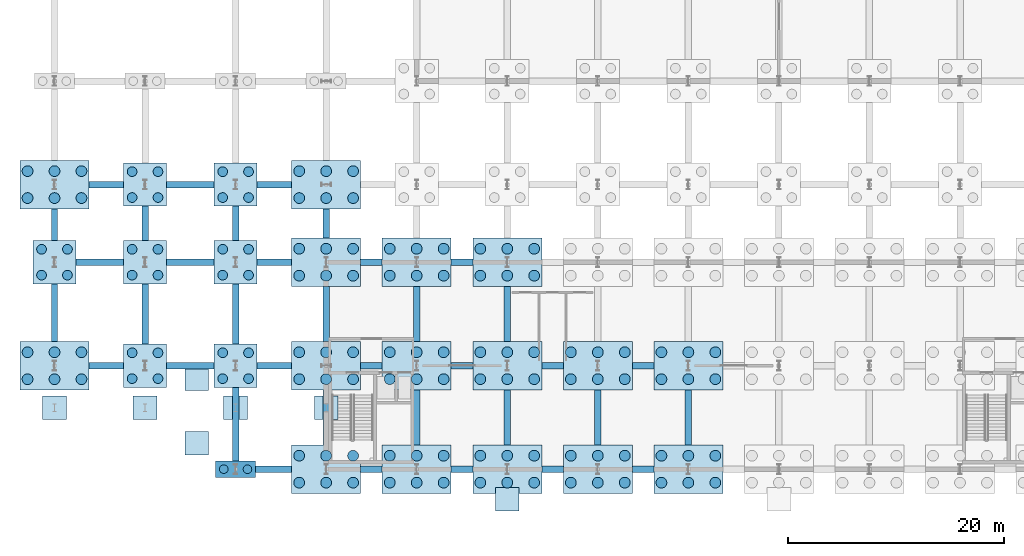
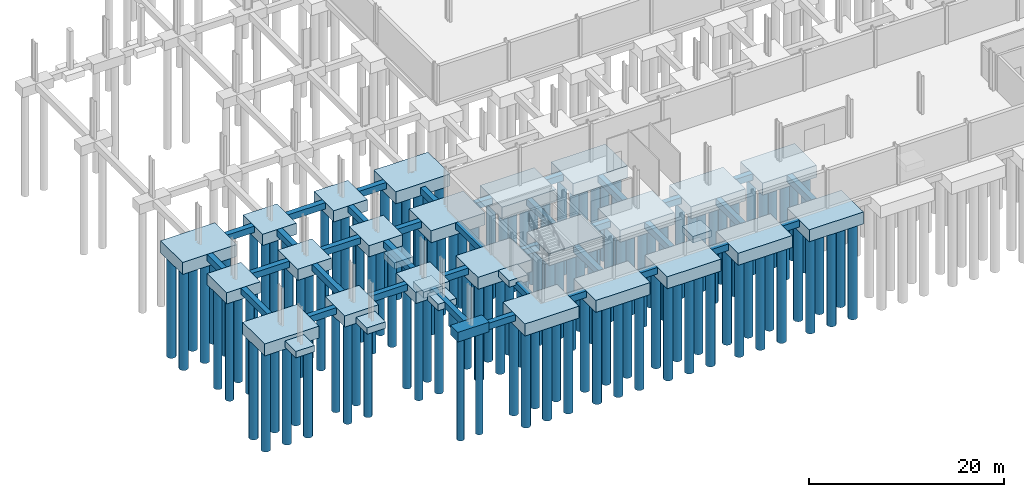
# One storey, part 1 of 29: 126 piles, 67 footings.
"""IFC4 building model written with IfcOpenShell, lengths in metres."""

from ifc_helpers import new_model, si_unit, direction, frame, origin, origin_2d, place, context, subcontext, project, spatial, rectangle, circle, extrude, material, material_profile, profile_set, type_object, element, save


model = new_model("IFC4")

# Units and contexts
model_context = context("Model", 3, precision=1e-05, world=origin(), true_north=direction((0.0, 1.0)))
body_context = subcontext(model_context, "Body", "Model", "MODEL_VIEW")
ifc_project = project(units=[si_unit("LENGTHUNIT", "METRE"), si_unit("AREAUNIT", "SQUARE_METRE"), si_unit("VOLUMEUNIT", "CUBIC_METRE"), si_unit("PLANEANGLEUNIT", "RADIAN"), si_unit("MASSUNIT", "GRAM", prefix="KILO")], contexts=[model_context])

# Site, building, storey
site_placement = place(None, origin())
site = spatial("IfcSite", under=ifc_project, at=site_placement, CompositionType="ELEMENT")
building_placement = place(site_placement, origin())
building = spatial("IfcBuilding", under=site, at=building_placement, Name="Veltarok Museum of Natural Sciences", CompositionType="ELEMENT")
storey_placement = place(building_placement, frame((0.0, 0.0, -4.800048828125)))
storey = spatial("IfcBuildingStorey", under=building, at=storey_placement, Name="B1", CompositionType="ELEMENT", Elevation=-4.800048828125)

# Piles
ifc_material = material(Name="Concrete C35/45", Category="concrete")
ifc_material_profile_1 = material_profile(ifc_material, circle(Radius=0.5, at=origin_2d()), Name="BP D1000")
ifc_profile_set_1 = profile_set([ifc_material_profile_1], Name="Concrete C35/45")
pile_type_1 = type_object("IfcPileType", Name="Bored Bedrock Pile D1000", PredefinedType="BORED", material=ifc_profile_set_1)
for number, where, z_axis, x_axis, name in (
    (1, (3.89990234375, 8.35009765625, -1.39990234375), (0.0, 0.0, -1.0), (1.0, 0.0, 0.0), "Bored Pile BP-1000 1"),
    (2, (6.39990234375, 8.35009765625, -1.39990234375), (0.0, 0.0, -1.0), (1.0, 0.0, 0.0), "Bored Pile BP-1000 2"),
    (3, (8.89990234375, 8.35009765625, -1.39990234375), (0.0, 0.0, -1.0), (1.0, 0.0, 0.0), "Bored Pile BP-1000 3"),
    (4, (3.89990234375, 10.85009765625, -1.39990234375), (0.0, 0.0, -1.0), (1.0, 0.0, 0.0), "Bored Pile BP-1000 4"),
    (5, (6.39990234375, 10.85009765625, -1.39990234375), (0.0, 0.0, -1.0), (1.0, 0.0, 0.0), "Bored Pile BP-1000 5"),
    (6, (8.89990234375, 10.85009765625, -1.39990234375), (0.0, 0.0, -1.0), (1.0, 0.0, 0.0), "Bored Pile BP-1000 6"),
    (7, (3.89990234375, 25.14990234375, -1.39990234375), (0.0, 0.0, -1.0), (1.0, 0.0, 0.0), "Bored Pile BP-1000 11"),
    (8, (6.39990234375, 25.14990234375, -1.39990234375), (0.0, 0.0, -1.0), (1.0, 0.0, 0.0), "Bored Pile BP-1000 12"),
    (9, (8.89990234375, 25.14990234375, -1.39990234375), (0.0, 0.0, -1.0), (1.0, 0.0, 0.0), "Bored Pile BP-1000 13"),
    (10, (3.89990234375, 27.64990234375, -1.39990234375), (0.0, 0.0, -1.0), (1.0, 0.0, 0.0), "Bored Pile BP-1000 14"),
    (11, (6.39990234375, 27.64990234375, -1.39990234375), (0.0, 0.0, -1.0), (1.0, 0.0, 0.0), "Bored Pile BP-1000 15"),
    (12, (8.89990234375, 27.64990234375, -1.39990234375), (0.0, 0.0, -1.0), (1.0, 0.0, 0.0), "Bored Pile BP-1000 16"),
):
    element("IfcPile", number, at=place(storey_placement, frame(where, z_axis=z_axis, x_axis=x_axis)), inside=storey, type_object=pile_type_1, Name=name, PredefinedType="BORED", context=body_context, shape_type="SweptSolid", body=[
        extrude(circle(Radius=0.5, at=origin_2d()), origin(), (0.0, 0.0, 1.0), 12.60009765625),
    ])
for number, where, z_axis, x_axis, name in (
    (13, (29.10009765625, -1.25, -1.89990234375), (0.0, 0.0, -1.0), (1.0, 0.0, 0.0), "Bored Pile BP-1000 61"),
    (14, (31.60009765625, -1.25, -1.89990234375), (0.0, 0.0, -1.0), (1.0, 0.0, 0.0), "Bored Pile BP-1000 62"),
    (15, (34.10009765625, -1.25, -1.89990234375), (0.0, 0.0, -1.0), (1.0, 0.0, 0.0), "Bored Pile BP-1000 63"),
    (16, (29.10009765625, 1.25, -1.89990234375), (0.0, 0.0, -1.0), (1.0, 0.0, 0.0), "Bored Pile BP-1000 64"),
    (17, (31.60009765625, 1.25, -1.89990234375), (0.0, 0.0, -1.0), (1.0, 0.0, 0.0), "Bored Pile BP-1000 65"),
    (18, (34.10009765625, 1.25, -1.89990234375), (0.0, 0.0, -1.0), (1.0, 0.0, 0.0), "Bored Pile BP-1000 66"),
    (19, (29.10009765625, 8.35009765625, -1.89990234375), (0.0, 0.0, -1.0), (1.0, 0.0, 0.0), "Bored Pile BP-1000 67"),
    (20, (31.60009765625, 8.35009765625, -1.89990234375), (0.0, 0.0, -1.0), (1.0, 0.0, 0.0), "Bored Pile BP-1000 68"),
    (21, (34.10009765625, 8.35009765625, -1.89990234375), (0.0, 0.0, -1.0), (1.0, 0.0, 0.0), "Bored Pile BP-1000 69"),
    (22, (29.10009765625, 10.85009765625, -1.89990234375), (0.0, 0.0, -1.0), (1.0, 0.0, 0.0), "Bored Pile BP-1000 70"),
    (23, (31.60009765625, 10.85009765625, -1.89990234375), (0.0, 0.0, -1.0), (1.0, 0.0, 0.0), "Bored Pile BP-1000 71"),
    (24, (34.10009765625, 10.85009765625, -1.89990234375), (0.0, 0.0, -1.0), (1.0, 0.0, 0.0), "Bored Pile BP-1000 72"),
    (25, (29.10009765625, 17.949951171875, -1.89990234375), (0.0, 0.0, -1.0), (1.0, 0.0, 0.0), "Bored Pile BP-1000 73"),
    (26, (31.60009765625, 17.949951171875, -1.89990234375), (0.0, 0.0, -1.0), (1.0, 0.0, 0.0), "Bored Pile BP-1000 74"),
    (27, (34.10009765625, 17.949951171875, -1.89990234375), (0.0, 0.0, -1.0), (1.0, 0.0, 0.0), "Bored Pile BP-1000 75"),
    (28, (29.10009765625, 20.449951171875, -1.89990234375), (0.0, 0.0, -1.0), (1.0, 0.0, 0.0), "Bored Pile BP-1000 76"),
    (29, (31.60009765625, 20.449951171875, -1.89990234375), (0.0, 0.0, -1.0), (1.0, 0.0, 0.0), "Bored Pile BP-1000 77"),
    (30, (34.10009765625, 20.449951171875, -1.89990234375), (0.0, 0.0, -1.0), (1.0, 0.0, 0.0), "Bored Pile BP-1000 78"),
):
    element("IfcPile", number, at=place(storey_placement, frame(where, z_axis=z_axis, x_axis=x_axis)), inside=storey, type_object=pile_type_1, Name=name, PredefinedType="BORED", context=body_context, shape_type="SweptSolid", body=[
        extrude(circle(Radius=0.5, at=origin_2d()), origin(), (0.0, 0.0, 1.0), 12.10009765625),
    ])
for number, where, z_axis, x_axis, name in (
    (31, (29.10009765625, 25.14990234375, -1.39990234375), (0.0, 0.0, -1.0), (1.0, 0.0, 0.0), "Bored Pile BP-1000 79"),
    (32, (31.60009765625, 25.14990234375, -1.39990234375), (0.0, 0.0, -1.0), (1.0, 0.0, 0.0), "Bored Pile BP-1000 80"),
    (33, (34.10009765625, 25.14990234375, -1.39990234375), (0.0, 0.0, -1.0), (1.0, 0.0, 0.0), "Bored Pile BP-1000 81"),
    (34, (29.10009765625, 27.64990234375, -1.39990234375), (0.0, 0.0, -1.0), (1.0, 0.0, 0.0), "Bored Pile BP-1000 82"),
    (35, (31.60009765625, 27.64990234375, -1.39990234375), (0.0, 0.0, -1.0), (1.0, 0.0, 0.0), "Bored Pile BP-1000 83"),
    (36, (34.10009765625, 27.64990234375, -1.39990234375), (0.0, 0.0, -1.0), (1.0, 0.0, 0.0), "Bored Pile BP-1000 84"),
):
    element("IfcPile", number, at=place(storey_placement, frame(where, z_axis=z_axis, x_axis=x_axis)), inside=storey, type_object=pile_type_1, Name=name, PredefinedType="BORED", context=body_context, shape_type="SweptSolid", body=[
        extrude(circle(Radius=0.5, at=origin_2d()), origin(), (0.0, 0.0, 1.0), 12.60009765625),
    ])
for number, where, z_axis, x_axis, name in (
    (37, (37.5, -1.25, -1.89990234375), (0.0, 0.0, -1.0), (1.0, 0.0, 0.0), "Bored Pile BP-1000 99"),
    (38, (40.0, -1.25, -1.89990234375), (0.0, 0.0, -1.0), (1.0, 0.0, 0.0), "Bored Pile BP-1000 100"),
    (39, (42.5, -1.25, -1.89990234375), (0.0, 0.0, -1.0), (1.0, 0.0, 0.0), "Bored Pile BP-1000 101"),
    (40, (37.5, 1.25, -1.89990234375), (0.0, 0.0, -1.0), (1.0, 0.0, 0.0), "Bored Pile BP-1000 102"),
    (41, (40.0, 1.25, -1.89990234375), (0.0, 0.0, -1.0), (1.0, 0.0, 0.0), "Bored Pile BP-1000 103"),
    (42, (42.5, 1.25, -1.89990234375), (0.0, 0.0, -1.0), (1.0, 0.0, 0.0), "Bored Pile BP-1000 104"),
    (43, (37.5, 8.35009765625, -1.89990234375), (0.0, 0.0, -1.0), (1.0, 0.0, 0.0), "Bored Pile BP-1000 105"),
    (44, (40.0, 8.35009765625, -1.89990234375), (0.0, 0.0, -1.0), (1.0, 0.0, 0.0), "Bored Pile BP-1000 106"),
    (45, (42.5, 8.35009765625, -1.89990234375), (0.0, 0.0, -1.0), (1.0, 0.0, 0.0), "Bored Pile BP-1000 107"),
    (46, (37.5, 10.85009765625, -1.89990234375), (0.0, 0.0, -1.0), (1.0, 0.0, 0.0), "Bored Pile BP-1000 108"),
    (47, (40.0, 10.85009765625, -1.89990234375), (0.0, 0.0, -1.0), (1.0, 0.0, 0.0), "Bored Pile BP-1000 109"),
    (48, (42.5, 10.85009765625, -1.89990234375), (0.0, 0.0, -1.0), (1.0, 0.0, 0.0), "Bored Pile BP-1000 110"),
    (49, (37.5, 17.949951171875, -1.89990234375), (0.0, 0.0, -1.0), (1.0, 0.0, 0.0), "Bored Pile BP-1000 111"),
    (50, (40.0, 17.949951171875, -1.89990234375), (0.0, 0.0, -1.0), (1.0, 0.0, 0.0), "Bored Pile BP-1000 112"),
    (51, (42.5, 17.949951171875, -1.89990234375), (0.0, 0.0, -1.0), (1.0, 0.0, 0.0), "Bored Pile BP-1000 113"),
    (52, (37.5, 20.449951171875, -1.89990234375), (0.0, 0.0, -1.0), (1.0, 0.0, 0.0), "Bored Pile BP-1000 114"),
    (53, (40.0, 20.449951171875, -1.89990234375), (0.0, 0.0, -1.0), (1.0, 0.0, 0.0), "Bored Pile BP-1000 115"),
    (54, (42.5, 20.449951171875, -1.89990234375), (0.0, 0.0, -1.0), (1.0, 0.0, 0.0), "Bored Pile BP-1000 116"),
    (55, (45.89990234375, -1.25, -1.89990234375), (0.0, 0.0, -1.0), (1.0, 0.0, 0.0), "Bored Pile BP-1000 143"),
    (56, (48.39990234375, -1.25, -1.89990234375), (0.0, 0.0, -1.0), (1.0, 0.0, 0.0), "Bored Pile BP-1000 144"),
    (57, (50.89990234375, -1.25, -1.89990234375), (0.0, 0.0, -1.0), (1.0, 0.0, 0.0), "Bored Pile BP-1000 145"),
    (58, (45.89990234375, 1.25, -1.89990234375), (0.0, 0.0, -1.0), (1.0, 0.0, 0.0), "Bored Pile BP-1000 146"),
    (59, (48.39990234375, 1.25, -1.89990234375), (0.0, 0.0, -1.0), (1.0, 0.0, 0.0), "Bored Pile BP-1000 147"),
    (60, (50.89990234375, 1.25, -1.89990234375), (0.0, 0.0, -1.0), (1.0, 0.0, 0.0), "Bored Pile BP-1000 148"),
    (61, (45.89990234375, 8.35009765625, -1.89990234375), (0.0, 0.0, -1.0), (1.0, 0.0, 0.0), "Bored Pile BP-1000 149"),
    (62, (48.39990234375, 8.35009765625, -1.89990234375), (0.0, 0.0, -1.0), (1.0, 0.0, 0.0), "Bored Pile BP-1000 150"),
    (63, (50.89990234375, 8.35009765625, -1.89990234375), (0.0, 0.0, -1.0), (1.0, 0.0, 0.0), "Bored Pile BP-1000 151"),
    (64, (45.89990234375, 10.85009765625, -1.89990234375), (0.0, 0.0, -1.0), (1.0, 0.0, 0.0), "Bored Pile BP-1000 152"),
    (65, (48.39990234375, 10.85009765625, -1.89990234375), (0.0, 0.0, -1.0), (1.0, 0.0, 0.0), "Bored Pile BP-1000 153"),
    (66, (50.89990234375, 10.85009765625, -1.89990234375), (0.0, 0.0, -1.0), (1.0, 0.0, 0.0), "Bored Pile BP-1000 154"),
    (67, (45.89990234375, 17.949951171875, -1.89990234375), (0.0, 0.0, -1.0), (1.0, 0.0, 0.0), "Bored Pile BP-1000 155"),
    (68, (48.39990234375, 17.949951171875, -1.89990234375), (0.0, 0.0, -1.0), (1.0, 0.0, 0.0), "Bored Pile BP-1000 156"),
    (69, (50.89990234375, 17.949951171875, -1.89990234375), (0.0, 0.0, -1.0), (1.0, 0.0, 0.0), "Bored Pile BP-1000 157"),
    (70, (45.89990234375, 20.449951171875, -1.89990234375), (0.0, 0.0, -1.0), (1.0, 0.0, 0.0), "Bored Pile BP-1000 158"),
    (71, (48.39990234375, 20.449951171875, -1.89990234375), (0.0, 0.0, -1.0), (1.0, 0.0, 0.0), "Bored Pile BP-1000 159"),
    (72, (50.89990234375, 20.449951171875, -1.89990234375), (0.0, 0.0, -1.0), (1.0, 0.0, 0.0), "Bored Pile BP-1000 160"),
    (73, (54.300048828125, -1.25, -1.89990234375), (0.0, 0.0, -1.0), (1.0, 0.0, 0.0), "Bored Pile BP-1000 187"),
    (74, (56.800048828125, -1.25, -1.89990234375), (0.0, 0.0, -1.0), (1.0, 0.0, 0.0), "Bored Pile BP-1000 188"),
    (75, (59.300048828125, -1.25, -1.89990234375), (0.0, 0.0, -1.0), (1.0, 0.0, 0.0), "Bored Pile BP-1000 189"),
    (76, (54.300048828125, 1.25, -1.89990234375), (0.0, 0.0, -1.0), (1.0, 0.0, 0.0), "Bored Pile BP-1000 190"),
    (77, (56.800048828125, 1.25, -1.89990234375), (0.0, 0.0, -1.0), (1.0, 0.0, 0.0), "Bored Pile BP-1000 191"),
    (78, (59.300048828125, 1.25, -1.89990234375), (0.0, 0.0, -1.0), (1.0, 0.0, 0.0), "Bored Pile BP-1000 192"),
    (79, (54.300048828125, 8.35009765625, -1.89990234375), (0.0, 0.0, -1.0), (1.0, 0.0, 0.0), "Bored Pile BP-1000 193"),
    (80, (56.800048828125, 8.35009765625, -1.89990234375), (0.0, 0.0, -1.0), (1.0, 0.0, 0.0), "Bored Pile BP-1000 194"),
    (81, (59.300048828125, 8.35009765625, -1.89990234375), (0.0, 0.0, -1.0), (1.0, 0.0, 0.0), "Bored Pile BP-1000 195"),
    (82, (54.300048828125, 10.85009765625, -1.89990234375), (0.0, 0.0, -1.0), (1.0, 0.0, 0.0), "Bored Pile BP-1000 196"),
    (83, (56.800048828125, 10.85009765625, -1.89990234375), (0.0, 0.0, -1.0), (1.0, 0.0, 0.0), "Bored Pile BP-1000 197"),
    (84, (59.300048828125, 10.85009765625, -1.89990234375), (0.0, 0.0, -1.0), (1.0, 0.0, 0.0), "Bored Pile BP-1000 198"),
    (85, (62.699951171875, -1.25, -1.89990234375), (0.0, 0.0, -1.0), (1.0, 0.0, 0.0), "Bored Pile BP-1000 233"),
    (86, (65.199951171875, -1.25, -1.89990234375), (0.0, 0.0, -1.0), (1.0, 0.0, 0.0), "Bored Pile BP-1000 234"),
    (87, (67.699951171875, -1.25, -1.89990234375), (0.0, 0.0, -1.0), (1.0, 0.0, 0.0), "Bored Pile BP-1000 235"),
    (88, (62.699951171875, 1.25, -1.89990234375), (0.0, 0.0, -1.0), (1.0, 0.0, 0.0), "Bored Pile BP-1000 236"),
    (89, (65.199951171875, 1.25, -1.89990234375), (0.0, 0.0, -1.0), (1.0, 0.0, 0.0), "Bored Pile BP-1000 237"),
    (90, (67.699951171875, 1.25, -1.89990234375), (0.0, 0.0, -1.0), (1.0, 0.0, 0.0), "Bored Pile BP-1000 238"),
    (91, (62.699951171875, 8.35009765625, -1.89990234375), (0.0, 0.0, -1.0), (1.0, 0.0, 0.0), "Bored Pile BP-1000 239"),
    (92, (65.199951171875, 8.35009765625, -1.89990234375), (0.0, 0.0, -1.0), (1.0, 0.0, 0.0), "Bored Pile BP-1000 240"),
    (93, (67.699951171875, 8.35009765625, -1.89990234375), (0.0, 0.0, -1.0), (1.0, 0.0, 0.0), "Bored Pile BP-1000 241"),
    (94, (62.699951171875, 10.85009765625, -1.89990234375), (0.0, 0.0, -1.0), (1.0, 0.0, 0.0), "Bored Pile BP-1000 242"),
    (95, (65.199951171875, 10.85009765625, -1.89990234375), (0.0, 0.0, -1.0), (1.0, 0.0, 0.0), "Bored Pile BP-1000 243"),
    (96, (67.699951171875, 10.85009765625, -1.89990234375), (0.0, 0.0, -1.0), (1.0, 0.0, 0.0), "Bored Pile BP-1000 244"),
):
    element("IfcPile", number, at=place(storey_placement, frame(where, z_axis=z_axis, x_axis=x_axis)), inside=storey, type_object=pile_type_1, Name=name, PredefinedType="BORED", context=body_context, shape_type="SweptSolid", body=[
        extrude(circle(Radius=0.5, at=origin_2d()), origin(), (0.0, 0.0, 1.0), 12.10009765625),
    ])
ifc_material_profile_2 = material_profile(ifc_material, circle(Radius=0.39990234375, at=origin_2d()), Name="BP D800")
ifc_profile_set_2 = profile_set([ifc_material_profile_2], Name="Concrete C35/45")
pile_type_2 = type_object("IfcPileType", Name="Bored Bedrock Pile D800", PredefinedType="BORED", material=ifc_profile_set_2)
for number, where, z_axis, x_axis, name in (
    (97, (22.10009765625, 0.0, -1.099853515625), (0.0, 0.0, -1.0), (1.0, 0.0, 0.0), "Bored Pile BP-800 39"),
    (98, (24.300048828125, 0.0, -1.099853515625), (0.0, 0.0, -1.0), (1.0, 0.0, 0.0), "Bored Pile BP-800 40"),
):
    element("IfcPile", number, at=place(storey_placement, frame(where, z_axis=z_axis, x_axis=x_axis)), inside=storey, type_object=pile_type_2, Name=name, PredefinedType="BORED", context=body_context, shape_type="SweptSolid", body=[
        extrude(circle(Radius=0.39990234375, at=origin_2d()), origin(), (0.0, 0.0, 1.0), 12.89990234375),
    ])
ifc_material_profile_3 = material_profile(ifc_material, circle(Radius=0.449951171875, at=origin_2d()), Name="BP D900")
ifc_profile_set_3 = profile_set([ifc_material_profile_3], Name="Concrete C35/45")
pile_type_3 = type_object("IfcPileType", Name="Bored Bedrock Pile D900", PredefinedType="BORED", material=ifc_profile_set_3)
for number, where, z_axis, x_axis, name in (
    (99, (5.199951171875, 18.0, -1.300048828125), (0.0, 0.0, -1.0), (1.0, 0.0, 0.0), "Bored Pile BP-900 7"),
    (100, (7.60009765625, 18.0, -1.300048828125), (0.0, 0.0, -1.0), (1.0, 0.0, 0.0), "Bored Pile BP-900 8"),
    (101, (5.199951171875, 20.39990234375, -1.300048828125), (0.0, 0.0, -1.0), (1.0, 0.0, 0.0), "Bored Pile BP-900 9"),
    (102, (7.60009765625, 20.39990234375, -1.300048828125), (0.0, 0.0, -1.0), (1.0, 0.0, 0.0), "Bored Pile BP-900 10"),
    (103, (13.60009765625, 8.39990234375, -1.300048828125), (0.0, 0.0, -1.0), (1.0, 0.0, 0.0), "Bored Pile BP-900 23"),
    (104, (16.0, 8.39990234375, -1.300048828125), (0.0, 0.0, -1.0), (1.0, 0.0, 0.0), "Bored Pile BP-900 24"),
    (105, (13.60009765625, 10.800048828125, -1.300048828125), (0.0, 0.0, -1.0), (1.0, 0.0, 0.0), "Bored Pile BP-900 25"),
    (106, (16.0, 10.800048828125, -1.300048828125), (0.0, 0.0, -1.0), (1.0, 0.0, 0.0), "Bored Pile BP-900 26"),
    (107, (13.60009765625, 18.0, -1.300048828125), (0.0, 0.0, -1.0), (1.0, 0.0, 0.0), "Bored Pile BP-900 27"),
    (108, (16.0, 18.0, -1.300048828125), (0.0, 0.0, -1.0), (1.0, 0.0, 0.0), "Bored Pile BP-900 28"),
    (109, (13.60009765625, 20.39990234375, -1.300048828125), (0.0, 0.0, -1.0), (1.0, 0.0, 0.0), "Bored Pile BP-900 29"),
    (110, (16.0, 20.39990234375, -1.300048828125), (0.0, 0.0, -1.0), (1.0, 0.0, 0.0), "Bored Pile BP-900 30"),
    (111, (13.60009765625, 25.199951171875, -1.300048828125), (0.0, 0.0, -1.0), (1.0, 0.0, 0.0), "Bored Pile BP-900 31"),
    (112, (16.0, 25.199951171875, -1.300048828125), (0.0, 0.0, -1.0), (1.0, 0.0, 0.0), "Bored Pile BP-900 32"),
    (113, (13.60009765625, 27.60009765625, -1.300048828125), (0.0, 0.0, -1.0), (1.0, 0.0, 0.0), "Bored Pile BP-900 33"),
    (114, (16.0, 27.60009765625, -1.300048828125), (0.0, 0.0, -1.0), (1.0, 0.0, 0.0), "Bored Pile BP-900 34"),
    (115, (22.0, 8.39990234375, -1.300048828125), (0.0, 0.0, -1.0), (1.0, 0.0, 0.0), "Bored Pile BP-900 41"),
    (116, (24.39990234375, 8.39990234375, -1.300048828125), (0.0, 0.0, -1.0), (1.0, 0.0, 0.0), "Bored Pile BP-900 42"),
    (117, (22.0, 10.800048828125, -1.300048828125), (0.0, 0.0, -1.0), (1.0, 0.0, 0.0), "Bored Pile BP-900 43"),
    (118, (24.39990234375, 10.800048828125, -1.300048828125), (0.0, 0.0, -1.0), (1.0, 0.0, 0.0), "Bored Pile BP-900 44"),
    (119, (22.0, 18.0, -1.300048828125), (0.0, 0.0, -1.0), (1.0, 0.0, 0.0), "Bored Pile BP-900 45"),
    (120, (24.39990234375, 18.0, -1.300048828125), (0.0, 0.0, -1.0), (1.0, 0.0, 0.0), "Bored Pile BP-900 46"),
    (121, (22.0, 20.39990234375, -1.300048828125), (0.0, 0.0, -1.0), (1.0, 0.0, 0.0), "Bored Pile BP-900 47"),
    (122, (24.39990234375, 20.39990234375, -1.300048828125), (0.0, 0.0, -1.0), (1.0, 0.0, 0.0), "Bored Pile BP-900 48"),
    (123, (22.0, 25.199951171875, -1.300048828125), (0.0, 0.0, -1.0), (1.0, 0.0, 0.0), "Bored Pile BP-900 49"),
    (124, (24.39990234375, 25.199951171875, -1.300048828125), (0.0, 0.0, -1.0), (1.0, 0.0, 0.0), "Bored Pile BP-900 50"),
    (125, (22.0, 27.60009765625, -1.300048828125), (0.0, 0.0, -1.0), (1.0, 0.0, 0.0), "Bored Pile BP-900 51"),
    (126, (24.39990234375, 27.60009765625, -1.300048828125), (0.0, 0.0, -1.0), (1.0, 0.0, 0.0), "Bored Pile BP-900 52"),
):
    element("IfcPile", number, at=place(storey_placement, frame(where, z_axis=z_axis, x_axis=x_axis)), inside=storey, type_object=pile_type_3, Name=name, PredefinedType="BORED", context=body_context, shape_type="SweptSolid", body=[
        extrude(circle(Radius=0.449951171875, at=origin_2d()), origin(), (0.0, 0.0, 1.0), 12.699951171875),
    ])

# Footings
footing_type_1 = type_object("IfcFootingType", Name="Canopy Pad Footing 2200x2200x800", PredefinedType="PAD_FOOTING", material=ifc_material)
for number, where, z_axis, x_axis, name in (
    (127, (19.60009765625, 2.39990234375, 4.0), (0.0, 0.0, 1.0), (1.0, 0.0, 0.0), "Canopy Pad Footing CN-W1"),
    (128, (19.60009765625, 8.39990234375, 4.0), (0.0, 0.0, 1.0), (1.0, 0.0, 0.0), "Canopy Pad Footing CN-W2"),
    (129, (48.39990234375, -2.800048828125, 4.0), (0.0, 0.0, 1.0), (1.0, 0.0, 0.0), "Canopy Pad Footing CN-S1"),
    (130, (6.39990234375, 5.699951171875, -0.7998046875), (0.0, 0.0, 1.0), (1.0, 0.0, 0.0), "Bridge Pier Pad Footing 1"),
    (131, (14.800048828125, 5.699951171875, -0.7998046875), (0.0, 0.0, 1.0), (1.0, 0.0, 0.0), "Bridge Pier Pad Footing 2"),
    (132, (23.199951171875, 5.699951171875, -0.7998046875), (0.0, 0.0, 1.0), (1.0, 0.0, 0.0), "Bridge Pier Pad Footing 3"),
    (133, (31.60009765625, 5.699951171875, -0.7998046875), (0.0, 0.0, 1.0), (1.0, 0.0, 0.0), "Bridge Pier Pad Footing 4"),
):
    element("IfcFooting", number, at=place(storey_placement, frame(where, z_axis=z_axis, x_axis=x_axis)), inside=storey, type_object=footing_type_1, Name=name, PredefinedType="PAD_FOOTING", context=body_context, shape_type="SweptSolid", body=[
        extrude(rectangle(XDim=2.199951171875, YDim=2.199951171875, at=origin_2d()), origin(), (0.0, 0.0, 1.0), 0.800048828125),
    ])
footing_type_2 = type_object("IfcFootingType", Name="Four-Pile Cap 4000x4000x1400", PredefinedType="PILE_CAP", material=ifc_material)
for number, where, z_axis, x_axis, name in (
    (134, (6.39990234375, 19.199951171875, -1.39990234375), (0.0, 0.0, 1.0), (1.0, 0.0, 0.0), "Pile Cap PC-4P 1/C"),
    (135, (14.800048828125, 9.60009765625, -1.39990234375), (0.0, 0.0, 1.0), (1.0, 0.0, 0.0), "Pile Cap PC-4P 2/B"),
    (136, (14.800048828125, 19.199951171875, -1.39990234375), (0.0, 0.0, 1.0), (1.0, 0.0, 0.0), "Pile Cap PC-4P 2/C"),
    (137, (14.800048828125, 26.39990234375, -1.39990234375), (0.0, 0.0, 1.0), (1.0, 0.0, 0.0), "Pile Cap PC-4P 2/D"),
    (138, (23.199951171875, 9.60009765625, -1.39990234375), (0.0, 0.0, 1.0), (1.0, 0.0, 0.0), "Pile Cap PC-4P 3/B"),
    (139, (23.199951171875, 19.199951171875, -1.39990234375), (0.0, 0.0, 1.0), (1.0, 0.0, 0.0), "Pile Cap PC-4P 3/C"),
    (140, (23.199951171875, 26.39990234375, -1.39990234375), (0.0, 0.0, 1.0), (1.0, 0.0, 0.0), "Pile Cap PC-4P 3/D"),
):
    element("IfcFooting", number, at=place(storey_placement, frame(where, z_axis=z_axis, x_axis=x_axis)), inside=storey, type_object=footing_type_2, Name=name, PredefinedType="PILE_CAP", context=body_context, shape_type="SweptSolid", body=[
        extrude(rectangle(XDim=4.0, YDim=4.0, at=origin_2d()), origin(), (0.0, 0.0, 1.0), 1.39990234375),
    ])
footing_type_3 = type_object("IfcFootingType", Name="Ground Tie Beam 600x800 L2000", PredefinedType="FOOTING_BEAM", material=ifc_material)
for number, where, z_axis, x_axis, name in (
    (141, (35.800048828125, 0.0, -1.2998046875), (0.0, 0.0, 1.0), (1.0, 0.0, 0.0), "Ground Tie Beam GB-2000 4-5/A"),
    (142, (44.199951171875, 0.0, -1.2998046875), (0.0, 0.0, 1.0), (1.0, 0.0, 0.0), "Ground Tie Beam GB-2000 5-6/A"),
    (143, (52.60009765625, 0.0, -1.2998046875), (0.0, 0.0, 1.0), (1.0, 0.0, 0.0), "Ground Tie Beam GB-2000 6-7/A"),
    (144, (61.0, 0.0, -1.2998046875), (0.0, 0.0, 1.0), (1.0, 0.0, 0.0), "Ground Tie Beam GB-2000 7-8/A"),
    (145, (35.800048828125, 9.60009765625, -1.2998046875), (0.0, 0.0, 1.0), (1.0, 0.0, 0.0), "Ground Tie Beam GB-2000 4-5/B"),
    (146, (44.199951171875, 9.60009765625, -1.2998046875), (0.0, 0.0, 1.0), (1.0, 0.0, 0.0), "Ground Tie Beam GB-2000 5-6/B"),
    (147, (52.60009765625, 9.60009765625, -1.2998046875), (0.0, 0.0, 1.0), (1.0, 0.0, 0.0), "Ground Tie Beam GB-2000 6-7/B"),
    (148, (61.0, 9.60009765625, -1.2998046875), (0.0, 0.0, 1.0), (1.0, 0.0, 0.0), "Ground Tie Beam GB-2000 7-8/B"),
    (149, (35.800048828125, 19.199951171875, -1.2998046875), (0.0, 0.0, 1.0), (1.0, 0.0, 0.0), "Ground Tie Beam GB-2000 4-5/C"),
    (150, (44.199951171875, 19.199951171875, -1.2998046875), (0.0, 0.0, 1.0), (1.0, 0.0, 0.0), "Ground Tie Beam GB-2000 5-6/C"),
):
    element("IfcFooting", number, at=place(storey_placement, frame(where, z_axis=z_axis, x_axis=x_axis)), inside=storey, type_object=footing_type_3, Name=name, PredefinedType="FOOTING_BEAM", context=body_context, shape_type="SweptSolid", body=[
        extrude(rectangle(XDim=2.0, YDim=0.60009765625, at=origin_2d()), origin(), (0.0, 0.0, 1.0), 0.800048828125),
    ])
footing_type_4 = type_object("IfcFootingType", Name="Ground Tie Beam 600x800 L2700", PredefinedType="FOOTING_BEAM", material=ifc_material)
footing_1_placement = place(storey_placement, frame((31.60009765625, 22.800048828125, -1.2998046875), z_axis=(0.0, 0.0, 1.0), x_axis=(0.0, 1.0, 0.0)))
element("IfcFooting", 151, at=footing_1_placement, inside=storey, type_object=footing_type_4, Name="Ground Tie Beam GB-2700 4/C-D", PredefinedType="FOOTING_BEAM", context=body_context, shape_type="SweptSolid", body=[
    extrude(rectangle(XDim=2.699951171875, YDim=0.60009765625, at=origin_2d()), origin(), (0.0, 0.0, 1.0), 0.800048828125),
])
footing_type_5 = type_object("IfcFootingType", Name="Ground Tie Beam 600x800 L2950", PredefinedType="FOOTING_BEAM", material=ifc_material)
footing_2_placement = place(storey_placement, frame((6.39990234375, 22.675048828125, -0.7998046875), z_axis=(0.0, 0.0, 1.0), x_axis=(0.0, 1.0, 0.0)))
element("IfcFooting", 152, at=footing_2_placement, inside=storey, type_object=footing_type_5, Name="Ground Tie Beam GB-2950 1/C-D", PredefinedType="FOOTING_BEAM", context=body_context, shape_type="SweptSolid", body=[
    extrude(rectangle(XDim=2.949951171875, YDim=0.60009765625, at=origin_2d()), origin(), (0.0, 0.0, 1.0), 0.800048828125),
])
footing_type_6 = type_object("IfcFootingType", Name="Ground Tie Beam 600x800 L3200", PredefinedType="FOOTING_BEAM", material=ifc_material)
for number, where, z_axis, x_axis, name in (
    (153, (11.199951171875, 9.60009765625, -0.7998046875), (0.0, 0.0, 1.0), (1.0, 0.0, 0.0), "Ground Tie Beam GB-3200 1-2/B"),
    (154, (26.800048828125, 9.60009765625, -1.2998046875), (0.0, 0.0, 1.0), (1.0, 0.0, 0.0), "Ground Tie Beam GB-3200 3-4/B"),
    (155, (26.800048828125, 19.199951171875, -1.2998046875), (0.0, 0.0, 1.0), (1.0, 0.0, 0.0), "Ground Tie Beam GB-3200 3-4/C"),
    (156, (11.199951171875, 26.39990234375, -0.7998046875), (0.0, 0.0, 1.0), (1.0, 0.0, 0.0), "Ground Tie Beam GB-3200 1-2/D"),
    (157, (26.800048828125, 26.39990234375, -0.7998046875), (0.0, 0.0, 1.0), (1.0, 0.0, 0.0), "Ground Tie Beam GB-3200 3-4/D"),
    (158, (14.800048828125, 22.800048828125, -0.7998046875), (0.0, 0.0, 1.0), (0.0, 1.0, 0.0), "Ground Tie Beam GB-3200 2/C-D"),
    (159, (23.199951171875, 22.800048828125, -0.7998046875), (0.0, 0.0, 1.0), (0.0, 1.0, 0.0), "Ground Tie Beam GB-3200 3/C-D"),
):
    element("IfcFooting", number, at=place(storey_placement, frame(where, z_axis=z_axis, x_axis=x_axis)), inside=storey, type_object=footing_type_6, Name=name, PredefinedType="FOOTING_BEAM", context=body_context, shape_type="SweptSolid", body=[
        extrude(rectangle(XDim=3.199951171875, YDim=0.60009765625, at=origin_2d()), origin(), (0.0, 0.0, 1.0), 0.800048828125),
    ])
footing_type_7 = type_object("IfcFootingType", Name="Ground Tie Beam 600x800 L3350", PredefinedType="FOOTING_BEAM", material=ifc_material)
footing_3_placement = place(storey_placement, frame((26.72509765625, 0.0, -1.2998046875), z_axis=(0.0, 0.0, 1.0), x_axis=(1.0, 0.0, 0.0)))
element("IfcFooting", 160, at=footing_3_placement, inside=storey, type_object=footing_type_7, Name="Ground Tie Beam GB-3350 3-4/A", PredefinedType="FOOTING_BEAM", context=body_context, shape_type="SweptSolid", body=[
    extrude(rectangle(XDim=3.35009765625, YDim=0.60009765625, at=origin_2d()), origin(), (0.0, 0.0, 1.0), 0.800048828125),
])
footing_type_8 = type_object("IfcFootingType", Name="Ground Tie Beam 600x800 L4400", PredefinedType="FOOTING_BEAM", material=ifc_material)
for number, where, z_axis, x_axis, name in (
    (161, (19.0, 9.60009765625, -0.7998046875), (0.0, 0.0, 1.0), (1.0, 0.0, 0.0), "Ground Tie Beam GB-4400 2-3/B"),
    (162, (10.60009765625, 19.199951171875, -0.7998046875), (0.0, 0.0, 1.0), (1.0, 0.0, 0.0), "Ground Tie Beam GB-4400 1-2/C"),
    (163, (19.0, 19.199951171875, -0.7998046875), (0.0, 0.0, 1.0), (1.0, 0.0, 0.0), "Ground Tie Beam GB-4400 2-3/C"),
    (164, (19.0, 26.39990234375, -0.7998046875), (0.0, 0.0, 1.0), (1.0, 0.0, 0.0), "Ground Tie Beam GB-4400 2-3/D"),
):
    element("IfcFooting", number, at=place(storey_placement, frame(where, z_axis=z_axis, x_axis=x_axis)), inside=storey, type_object=footing_type_8, Name=name, PredefinedType="FOOTING_BEAM", context=body_context, shape_type="SweptSolid", body=[
        extrude(rectangle(XDim=4.39990234375, YDim=0.60009765625, at=origin_2d()), origin(), (0.0, 0.0, 1.0), 0.800048828125),
    ])
footing_type_9 = type_object("IfcFootingType", Name="Ground Tie Beam 600x800 L5100", PredefinedType="FOOTING_BEAM", material=ifc_material)
for number, where, z_axis, x_axis, name in (
    (165, (31.60009765625, 4.800048828125, -1.2998046875), (0.0, 0.0, 1.0), (0.0, 1.0, 0.0), "Ground Tie Beam GB-5100 4/A-B"),
    (166, (31.60009765625, 14.39990234375, -1.2998046875), (0.0, 0.0, 1.0), (0.0, 1.0, 0.0), "Ground Tie Beam GB-5100 4/B-C"),
    (167, (40.0, 4.800048828125, -1.2998046875), (0.0, 0.0, 1.0), (0.0, 1.0, 0.0), "Ground Tie Beam GB-5100 5/A-B"),
    (168, (40.0, 14.39990234375, -1.2998046875), (0.0, 0.0, 1.0), (0.0, 1.0, 0.0), "Ground Tie Beam GB-5100 5/B-C"),
    (169, (48.39990234375, 4.800048828125, -1.2998046875), (0.0, 0.0, 1.0), (0.0, 1.0, 0.0), "Ground Tie Beam GB-5100 6/A-B"),
    (170, (48.39990234375, 14.39990234375, -1.2998046875), (0.0, 0.0, 1.0), (0.0, 1.0, 0.0), "Ground Tie Beam GB-5100 6/B-C"),
    (171, (56.800048828125, 4.800048828125, -1.2998046875), (0.0, 0.0, 1.0), (0.0, 1.0, 0.0), "Ground Tie Beam GB-5100 7/A-B"),
    (172, (65.199951171875, 4.800048828125, -1.2998046875), (0.0, 0.0, 1.0), (0.0, 1.0, 0.0), "Ground Tie Beam GB-5100 8/A-B"),
):
    element("IfcFooting", number, at=place(storey_placement, frame(where, z_axis=z_axis, x_axis=x_axis)), inside=storey, type_object=footing_type_9, Name=name, PredefinedType="FOOTING_BEAM", context=body_context, shape_type="SweptSolid", body=[
        extrude(rectangle(XDim=5.10009765625, YDim=0.60009765625, at=origin_2d()), origin(), (0.0, 0.0, 1.0), 0.800048828125),
    ])
footing_type_10 = type_object("IfcFootingType", Name="Ground Tie Beam 600x800 L5350", PredefinedType="FOOTING_BEAM", material=ifc_material)
footing_4_placement = place(storey_placement, frame((6.39990234375, 14.52490234375, -0.7998046875), z_axis=(0.0, 0.0, 1.0), x_axis=(0.0, 1.0, 0.0)))
element("IfcFooting", 173, at=footing_4_placement, inside=storey, type_object=footing_type_10, Name="Ground Tie Beam GB-5350 1/B-C", PredefinedType="FOOTING_BEAM", context=body_context, shape_type="SweptSolid", body=[
    extrude(rectangle(XDim=5.35009765625, YDim=0.60009765625, at=origin_2d()), origin(), (0.0, 0.0, 1.0), 0.800048828125),
])
footing_type_11 = type_object("IfcFootingType", Name="Ground Tie Beam 600x800 L5600", PredefinedType="FOOTING_BEAM", material=ifc_material)
for number, where, z_axis, x_axis, name in (
    (174, (14.800048828125, 14.39990234375, -0.7998046875), (0.0, 0.0, 1.0), (0.0, 1.0, 0.0), "Ground Tie Beam GB-5600 2/B-C"),
    (175, (23.199951171875, 14.39990234375, -0.7998046875), (0.0, 0.0, 1.0), (0.0, 1.0, 0.0), "Ground Tie Beam GB-5600 3/B-C"),
):
    element("IfcFooting", number, at=place(storey_placement, frame(where, z_axis=z_axis, x_axis=x_axis)), inside=storey, type_object=footing_type_11, Name=name, PredefinedType="FOOTING_BEAM", context=body_context, shape_type="SweptSolid", body=[
        extrude(rectangle(XDim=5.60009765625, YDim=0.60009765625, at=origin_2d()), origin(), (0.0, 0.0, 1.0), 0.800048828125),
    ])
footing_type_12 = type_object("IfcFootingType", Name="Ground Tie Beam 600x800 L6850", PredefinedType="FOOTING_BEAM", material=ifc_material)
footing_5_placement = place(storey_placement, frame((23.199951171875, 4.175048828125, -0.7998046875), z_axis=(0.0, 0.0, 1.0), x_axis=(0.0, 1.0, 0.0)))
element("IfcFooting", 176, at=footing_5_placement, inside=storey, type_object=footing_type_12, Name="Ground Tie Beam GB-6850 3/A-B", PredefinedType="FOOTING_BEAM", context=body_context, shape_type="SweptSolid", body=[
    extrude(rectangle(XDim=6.85009765625, YDim=0.60009765625, at=origin_2d()), origin(), (0.0, 0.0, 1.0), 0.800048828125),
])
footing_type_13 = type_object("IfcFootingType", Name="Six-Pile Heavy Cap 6400x4300x1500", PredefinedType="PILE_CAP", material=ifc_material)
for number, where, z_axis, x_axis, name in (
    (177, (6.39990234375, 9.60009765625, -1.5), (0.0, 0.0, 1.0), (1.0, 0.0, 0.0), "Pile Cap PC-6P 1/B"),
    (178, (6.39990234375, 26.39990234375, -1.5), (0.0, 0.0, 1.0), (1.0, 0.0, 0.0), "Pile Cap PC-6P 1/D"),
    (179, (31.60009765625, 0.0, -2.0), (0.0, 0.0, 1.0), (1.0, 0.0, 0.0), "Pile Cap PC-6P 4/A"),
    (180, (31.60009765625, 9.60009765625, -2.0), (0.0, 0.0, 1.0), (1.0, 0.0, 0.0), "Pile Cap PC-6P 4/B"),
    (181, (31.60009765625, 19.199951171875, -2.0), (0.0, 0.0, 1.0), (1.0, 0.0, 0.0), "Pile Cap PC-6P 4/C"),
    (182, (31.60009765625, 26.39990234375, -1.5), (0.0, 0.0, 1.0), (1.0, 0.0, 0.0), "Pile Cap PC-6P 4/D"),
    (183, (40.0, 0.0, -2.0), (0.0, 0.0, 1.0), (1.0, 0.0, 0.0), "Pile Cap PC-6P 5/A"),
    (184, (40.0, 9.60009765625, -2.0), (0.0, 0.0, 1.0), (1.0, 0.0, 0.0), "Pile Cap PC-6P 5/B"),
    (185, (40.0, 19.199951171875, -2.0), (0.0, 0.0, 1.0), (1.0, 0.0, 0.0), "Pile Cap PC-6P 5/C"),
    (186, (48.39990234375, 0.0, -2.0), (0.0, 0.0, 1.0), (1.0, 0.0, 0.0), "Pile Cap PC-6P 6/A"),
    (187, (48.39990234375, 9.60009765625, -2.0), (0.0, 0.0, 1.0), (1.0, 0.0, 0.0), "Pile Cap PC-6P 6/B"),
    (188, (48.39990234375, 19.199951171875, -2.0), (0.0, 0.0, 1.0), (1.0, 0.0, 0.0), "Pile Cap PC-6P 6/C"),
    (189, (56.800048828125, 0.0, -2.0), (0.0, 0.0, 1.0), (1.0, 0.0, 0.0), "Pile Cap PC-6P 7/A"),
    (190, (56.800048828125, 9.60009765625, -2.0), (0.0, 0.0, 1.0), (1.0, 0.0, 0.0), "Pile Cap PC-6P 7/B"),
    (191, (65.199951171875, 0.0, -2.0), (0.0, 0.0, 1.0), (1.0, 0.0, 0.0), "Pile Cap PC-6P 8/A"),
    (192, (65.199951171875, 9.60009765625, -2.0), (0.0, 0.0, 1.0), (1.0, 0.0, 0.0), "Pile Cap PC-6P 8/B"),
):
    element("IfcFooting", number, at=place(storey_placement, frame(where, z_axis=z_axis, x_axis=x_axis)), inside=storey, type_object=footing_type_13, Name=name, PredefinedType="PILE_CAP", context=body_context, shape_type="SweptSolid", body=[
        extrude(rectangle(XDim=6.39990234375, YDim=4.5, at=origin_2d()), origin(), (0.0, 0.0, 1.0), 1.5),
    ])
footing_type_14 = type_object("IfcFootingType", Name="Two-Pile Cap 3700x1500x1200", PredefinedType="PILE_CAP", material=ifc_material)
footing_6_placement = place(storey_placement, frame((23.199951171875, 0.0, -1.19970703125), z_axis=(0.0, 0.0, 1.0), x_axis=(1.0, 0.0, 0.0)))
element("IfcFooting", 193, at=footing_6_placement, inside=storey, type_object=footing_type_14, Name="Pile Cap PC-2P 3/A", PredefinedType="PILE_CAP", context=body_context, shape_type="SweptSolid", body=[
    extrude(rectangle(XDim=3.699951171875, YDim=1.5, at=origin_2d()), origin(), (0.0, 0.0, 1.0), 1.199951171875),
])

save(model, "model.ifc")
